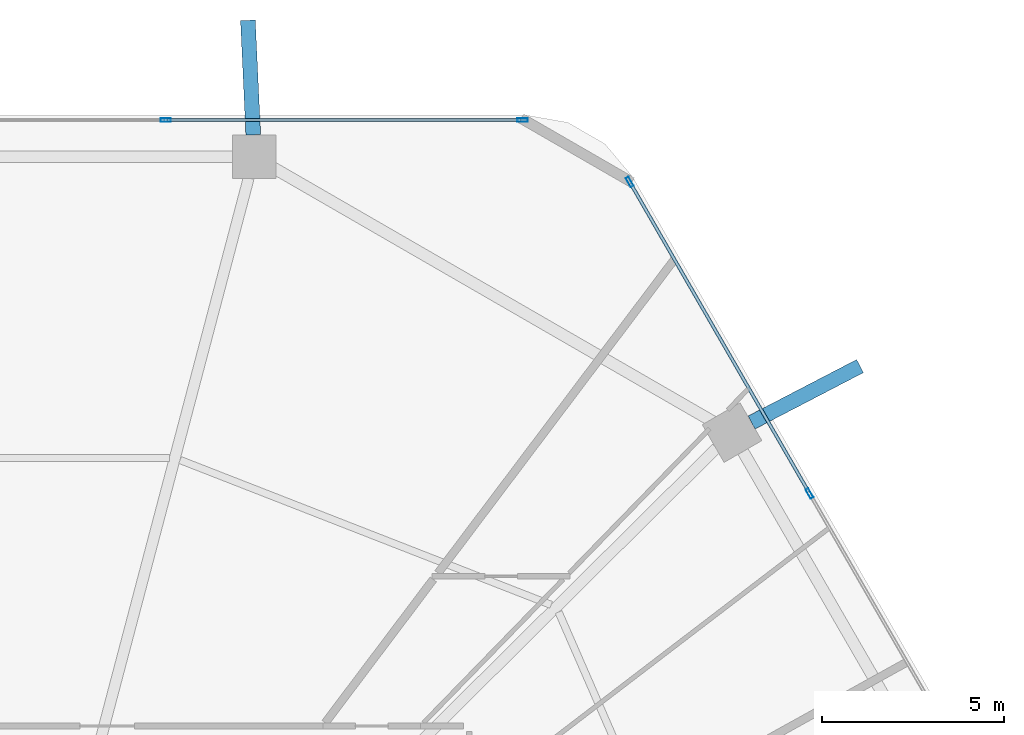
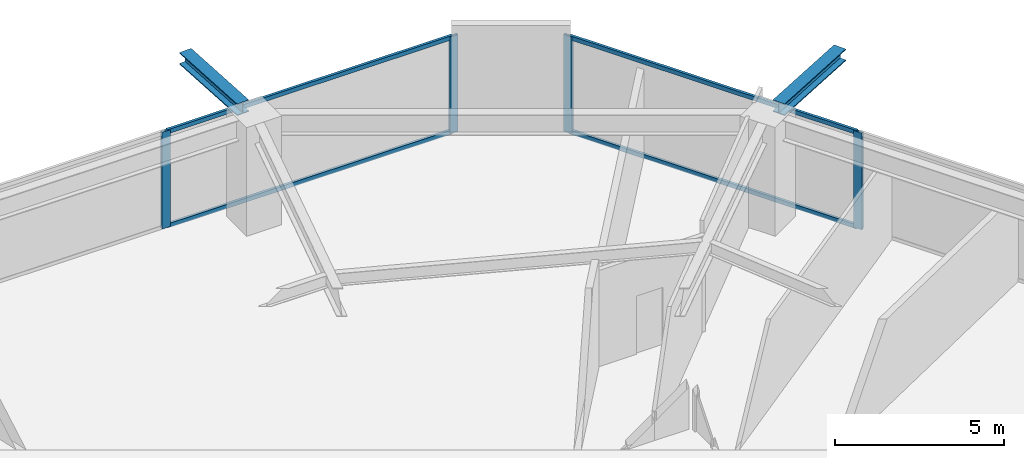
# One storey, part 19 of 25: 8 members, 2 beams, 2 elements without a shape of their own.
"""IFC4 building model written with IfcOpenShell, lengths in metres."""

from ifc_helpers import new_model, si_unit, direction, frame, origin, origin_2d, place, context, subcontext, project, spatial, hollow_rectangle, i_section, extrude, material, material_profile, profile_set, type_object, element, aggregate, save


model = new_model("IFC4")

# Units and contexts
model_context = context("Model", 3, precision=1e-05, world=origin(), true_north=direction((0.0, 1.0)))
body_context = subcontext(model_context, "Body", "Model", "MODEL_VIEW")
ifc_project = project(units=[si_unit("LENGTHUNIT", "METRE"), si_unit("AREAUNIT", "SQUARE_METRE"), si_unit("VOLUMEUNIT", "CUBIC_METRE"), si_unit("PLANEANGLEUNIT", "RADIAN"), si_unit("MASSUNIT", "GRAM", prefix="KILO")], contexts=[model_context])

# Site, building, storey
site_placement = place(None, origin())
site = spatial("IfcSite", under=ifc_project, at=site_placement, CompositionType="ELEMENT")
building_placement = place(site_placement, origin())
building = spatial("IfcBuilding", under=site, at=building_placement, Name="Zuhravey Tower", CompositionType="ELEMENT")
storey_placement = place(building_placement, frame((0.0, 0.0, 62.39990234375)))
storey = spatial("IfcBuildingStorey", under=building, at=storey_placement, Name="L15", CompositionType="ELEMENT", Elevation=62.39990234375)

# Curtain wall, members
ifc_material_1 = material(Name="Thermally broken anodised aluminium", Category="aluminium")
curtain_wall_type = type_object("IfcCurtainWallType", Name="School Low-E Unitised Curtain Wall CW1", PredefinedType="NOTDEFINED", material=ifc_material_1)
curtain_wall_1_placement = place(storey_placement, origin())
curtain_wall_1 = element("IfcCurtainWall", 1, at=curtain_wall_1_placement, inside=storey, type_object=curtain_wall_type, Name="L15 CW1 CW-L15-F2-1", PredefinedType="NOTDEFINED")
ifc_material_2 = material(Name="Anodised aluminium", Category="aluminium")
ifc_material_profile_1 = material_profile(ifc_material_2, hollow_rectangle(XDim=0.090087890625, YDim=0.284912109375, WallThickness=0.0048828125, at=origin_2d()), Name="ALU-RHS-90x285x5")
ifc_profile_set_1 = profile_set([ifc_material_profile_1], Name="Anodised aluminium")
member_type_1 = type_object("IfcMemberType", Name="Curtain-Wall Mullion 90x180", PredefinedType="MULLION", material=ifc_profile_set_1)
member_1_placement = place(storey_placement, frame((40.93310546875, 60.95849609375, 0.0), z_axis=(0.0, 0.0, 1.0), x_axis=(0.0, 1.0, 0.0)))
member_1 = element("IfcMember", 2, at=member_1_placement, type_object=member_type_1, Name="CW1 mullion 3", PredefinedType="MULLION", context=body_context, shape_type="SweptSolid", body=[
    extrude(hollow_rectangle(XDim=0.090087890625, YDim=0.284912109375, WallThickness=0.0048828125, at=origin_2d()), origin(), (0.0, 0.0, 1.0), 3.4921875),
])
member_2_placement = place(storey_placement, frame((50.75439453125, 60.95849609375, 0.0), z_axis=(0.0, 0.0, 1.0), x_axis=(0.0, 1.0, 0.0)))
member_2 = element("IfcMember", 3, at=member_2_placement, type_object=member_type_1, Name="CW1 mullion 4", PredefinedType="MULLION", context=body_context, shape_type="SweptSolid", body=[
    extrude(hollow_rectangle(XDim=0.090087890625, YDim=0.284912109375, WallThickness=0.0048828125, at=origin_2d()), origin(), (0.0, 0.0, 1.0), 3.4921875),
])

curtain_wall_2_placement = place(storey_placement, origin())
curtain_wall_2 = element("IfcCurtainWall", 4, at=curtain_wall_2_placement, inside=storey, type_object=curtain_wall_type, Name="L15 CW1 CW-L15-F1-1", PredefinedType="NOTDEFINED")
member_3_placement = place(storey_placement, frame((53.701416015625, 59.257080078125, 0.0), z_axis=(0.0, 0.0, 1.0), x_axis=(0.866025977238, 0.499999006748, 0.0)))
member_3 = element("IfcMember", 5, at=member_3_placement, type_object=member_type_1, Name="CW1 mullion 1", PredefinedType="MULLION", context=body_context, shape_type="SweptSolid", body=[
    extrude(hollow_rectangle(XDim=0.090087890625, YDim=0.284912109375, WallThickness=0.0048828125, at=origin_2d()), origin(), (0.0, 0.0, 1.0), 3.4921875),
])
member_4_placement = place(storey_placement, frame((58.650634765625, 50.68505859375, 0.0), z_axis=(0.0, 0.0, 1.0), x_axis=(0.866025977238, 0.499999006748, 0.0)))
member_4 = element("IfcMember", 6, at=member_4_placement, type_object=member_type_1, Name="CW1 mullion 2", PredefinedType="MULLION", context=body_context, shape_type="SweptSolid", body=[
    extrude(hollow_rectangle(XDim=0.090087890625, YDim=0.284912109375, WallThickness=0.0048828125, at=origin_2d()), origin(), (0.0, 0.0, 1.0), 3.4921875),
])

# Member
ifc_material_profile_2 = material_profile(ifc_material_2, hollow_rectangle(XDim=0.090087890625, YDim=0.14990234375, WallThickness=0.0048828125, at=origin_2d()), Name="ALU-RHS-90x150x5")
ifc_profile_set_2 = profile_set([ifc_material_profile_2], Name="Anodised aluminium")
member_type_2 = type_object("IfcMemberType", Name="Curtain-Wall Transom 90x150", PredefinedType="USERDEFINED", material=ifc_profile_set_2)
member_5_placement = place(storey_placement, frame((40.978271484375, 60.95849609375, 0.045166015625), z_axis=(1.0, 0.0, 0.0), x_axis=(0.0, 1.0, 0.0)))
member_5 = element("IfcMember", 7, at=member_5_placement, type_object=member_type_2, Name="CW1 transom 3.1", ObjectType="TRANSOM", PredefinedType="USERDEFINED", context=body_context, shape_type="SweptSolid", body=[
    extrude(hollow_rectangle(XDim=0.090087890625, YDim=0.14990234375, WallThickness=0.0048828125, at=origin_2d()), origin(), (0.0, 0.0, 1.0), 9.731201171875),
])

member_6_placement = place(storey_placement, frame((40.978271484375, 60.95849609375, 3.447021484375), z_axis=(1.0, 0.0, 0.0), x_axis=(0.0, 1.0, 0.0)))
member_6 = element("IfcMember", 8, at=member_6_placement, type_object=member_type_2, Name="CW1 transom 3.2", ObjectType="TRANSOM", PredefinedType="USERDEFINED", context=body_context, shape_type="SweptSolid", body=[
    extrude(hollow_rectangle(XDim=0.090087890625, YDim=0.14990234375, WallThickness=0.0048828125, at=origin_2d()), origin(), (0.0, 0.0, 1.0), 9.731201171875),
])

aggregate(curtain_wall_1, [member_1, member_2, member_5, member_6])

member_7_placement = place(storey_placement, frame((53.72412109375, 59.218017578125, 0.045166015625), z_axis=(0.499978146663, -0.866038020447, 0.0), x_axis=(0.866038020447, 0.499978146663, 0.0)))
member_7 = element("IfcMember", 9, at=member_7_placement, type_object=member_type_2, Name="CW1 transom 1.1", ObjectType="TRANSOM", PredefinedType="USERDEFINED", context=body_context, shape_type="SweptSolid", body=[
    extrude(hollow_rectangle(XDim=0.090087890625, YDim=0.14990234375, WallThickness=0.0048828125, at=origin_2d()), origin(), (0.0, 0.0, 1.0), 9.80810546875),
])

member_8_placement = place(storey_placement, frame((53.72412109375, 59.218017578125, 3.447021484375), z_axis=(0.499978146663, -0.866038020447, 0.0), x_axis=(0.866038020447, 0.499978146663, 0.0)))
member_8 = element("IfcMember", 10, at=member_8_placement, type_object=member_type_2, Name="CW1 transom 1.2", ObjectType="TRANSOM", PredefinedType="USERDEFINED", context=body_context, shape_type="SweptSolid", body=[
    extrude(hollow_rectangle(XDim=0.090087890625, YDim=0.14990234375, WallThickness=0.0048828125, at=origin_2d()), origin(), (0.0, 0.0, 1.0), 9.80810546875),
])

aggregate(curtain_wall_2, [member_3, member_4, member_7, member_8])

# Beams
ifc_material_3 = material(Name="Steel SM460", Category="steel")
ifc_material_profile_3 = material_profile(ifc_material_3, i_section(OverallWidth=0.406982421875, OverallDepth=0.427978515625, WebThickness=0.02001953125, FlangeThickness=0.034912109375, at=origin_2d()), Name="H-428x407x20x35")
ifc_profile_set_3 = profile_set([ifc_material_profile_3], Name="Steel SM460")
beam_type = type_object("IfcBeamType", Name="Exoskeleton Node Tie Beam H428x407", PredefinedType="BEAM", material=ifc_profile_set_3)
beam_1_placement = place(storey_placement, frame((57.055419921875, 52.6357421875, 3.7060546875), z_axis=(0.887292824328, 0.461206508949, 0.0), x_axis=(-0.461206508949, 0.887292824328, 0.0)))
element("IfcBeam", 11, at=beam_1_placement, inside=storey, type_object=beam_type, Name="L15 Exoskeleton Node Tie NT1-02", PredefinedType="BEAM", context=body_context, shape_type="SweptSolid", body=[
    extrude(i_section(OverallWidth=0.406982421875, OverallDepth=0.427978515625, WebThickness=0.02001953125, FlangeThickness=0.034912109375, at=origin_2d()), origin(), (0.0, 0.0, 1.0), 3.364501953125),
])
beam_2_placement = place(storey_placement, frame((43.341796875, 60.552490234375, 3.7060546875), z_axis=(-0.046667932631, 0.998910458482, 0.0), x_axis=(-0.998910458482, -0.046667932631, 0.0)))
element("IfcBeam", 12, at=beam_2_placement, inside=storey, type_object=beam_type, Name="L15 Exoskeleton Node Tie NT1-03", PredefinedType="BEAM", context=body_context, shape_type="SweptSolid", body=[
    extrude(i_section(OverallWidth=0.406982421875, OverallDepth=0.427978515625, WebThickness=0.02001953125, FlangeThickness=0.034912109375, at=origin_2d()), origin(), (0.0, 0.0, 1.0), 3.154541015625),
])

save(model, "model.ifc")
